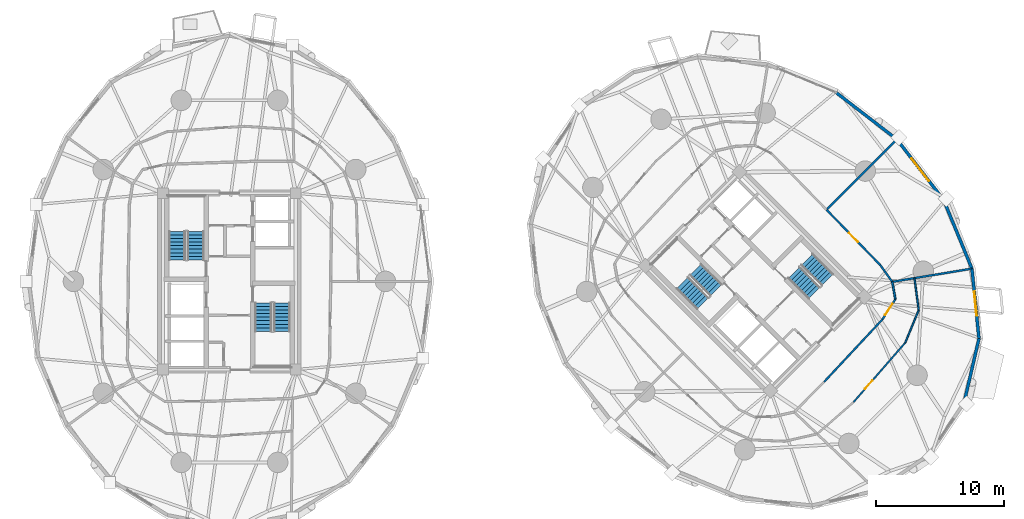
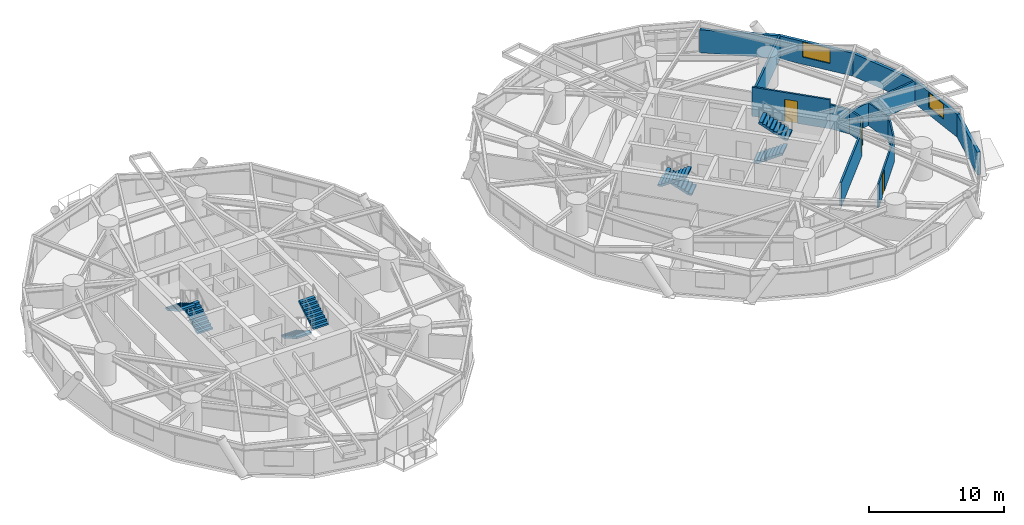
# One storey, part 15 of 18: 15 walls, 8 stair flights, 3 doors, 2 windows, 5 openings, 4 elements without a shape of their own.
"""IFC4 building model written with IfcOpenShell, lengths in metres."""

from ifc_helpers import new_model, si_unit, direction, frame, frame_2d, origin, place, context, subcontext, project, spatial, polyline, rectangle, outline, extrude, source, transform, mapped, material, layer, layer_set, type_object, element, fill, aggregate, save


model = new_model("IFC4")

# Units and contexts
model_context = context("Model", 3, precision=1e-05, world=origin(), true_north=direction((0.0, 1.0)))
body_context = subcontext(model_context, "Body", "Model", "MODEL_VIEW")
ifc_project = project(units=[si_unit("LENGTHUNIT", "METRE"), si_unit("AREAUNIT", "SQUARE_METRE"), si_unit("VOLUMEUNIT", "CUBIC_METRE"), si_unit("PLANEANGLEUNIT", "RADIAN"), si_unit("MASSUNIT", "GRAM", prefix="KILO")], contexts=[model_context])

# Site, building, storey
site_placement = place(None, origin())
site = spatial("IfcSite", under=ifc_project, at=site_placement, CompositionType="ELEMENT")
building_placement = place(site_placement, origin())
building = spatial("IfcBuilding", under=site, at=building_placement, Name="Cununo Teusaquillo Station Towers", CompositionType="ELEMENT")
storey_placement = place(building_placement, frame((0.0, 0.0, 56.919921875)))
storey = spatial("IfcBuildingStorey", under=building, at=storey_placement, Name="L17", CompositionType="ELEMENT", Elevation=56.919921875)

# Walls
ifc_material_1 = material(Name="Precast concrete C40/50", Category="concrete")
ifc_layer_1 = layer(ifc_material_1, 0.239990234375)
ifc_layer_set_1 = layer_set([ifc_layer_1], Name="Precast concrete C40/50")
wall_type_1 = type_object("IfcWallType", Name="WL-EXT-240", PredefinedType="SOLIDWALL", material=ifc_layer_set_1)
wall_1_placement = place(storey_placement, frame((63.844482421875, 39.22216796875, 0.0), z_axis=(0.0, 0.0, 1.0), x_axis=(0.792014314407, -0.610502519057, 0.0)))
element("IfcWall", 1, at=wall_1_placement, inside=storey, type_object=wall_type_1, Name="L17 Tower B Exterior Facade Wall C00", PredefinedType="SOLIDWALL", context=body_context, shape_type="SweptSolid", body=[
    extrude(rectangle(XDim=5.973388671875, YDim=0.239990234375, at=frame_2d((2.98681640625, 0.0))), origin(), (0.0, 0.0, 1.0), 2.072998046875),
])
wall_2_placement = place(storey_placement, frame((74.976318359375, 20.04345703125, 0.0), z_axis=(0.0, 0.0, 1.0), x_axis=(-0.225833060959, -0.974166016949, 0.0)))
element("IfcWall", 2, at=wall_2_placement, inside=storey, type_object=wall_type_1, Name="L17 Tower B Exterior Facade Wall C16", PredefinedType="SOLIDWALL", context=body_context, shape_type="SweptSolid", body=[
    extrude(rectangle(XDim=5.14599609375, YDim=0.239990234375, at=frame_2d((2.572998046875, 0.0))), origin(), (0.0, 0.0, 1.0), 2.072998046875),
])

# Wall, opening, window
wall_3_placement = place(storey_placement, frame((74.427734375, 25.49267578125, 0.0), z_axis=(0.0, 0.0, 1.0), x_axis=(0.100165739718, -0.994970765694, 0.0)))
wall_3 = element("IfcWall", 3, at=wall_3_placement, inside=storey, type_object=wall_type_1, Name="L17 Tower B Exterior Facade Wall C17", PredefinedType="SOLIDWALL", context=body_context, shape_type="SweptSolid", body=[
    extrude(rectangle(XDim=5.476806640625, YDim=0.239990234375, at=frame_2d((2.73828125, 0.0))), origin(), (0.0, 0.0, 1.0), 2.072998046875),
])
shared_shape_1 = source(origin(), body_context, "Body", "SweptSolid", [
    extrude(rectangle(XDim=1.89990234375, YDim=1.35009765625, at=frame_2d((0.949951171875, 0.675048828125))), frame((0.0, 0.1298828125, 0.0), z_axis=(0.0, -1.0, 0.0), x_axis=(1.0, 0.0, 0.0)), (0.0, 0.0, 1.0), 0.260009765625),
])
opening_1_placement = place(wall_3_placement, frame((1.7880859375, 0.0, 0.64990234375)))
opening_1 = element("IfcOpeningElement", 4, at=opening_1_placement, cuts=wall_3, Name="Opening WN-02", PredefinedType="OPENING", context=body_context, shape_type="MappedRepresentation", body=[
    mapped(shared_shape_1, transform((0.0, 0.0, 0.0), x_axis=(1.0, 0.0, 0.0), y_axis=(0.0, 1.0, 0.0), z_axis=(0.0, 0.0, 1.0), scale=1.0)),
])
ifc_material_2 = material(Name="Operable acoustic tinted low-E double glazing", Category="glass")
window_type_1 = type_object("IfcWindowType", Name="WIN-OPER-1900", PartitioningType="DOUBLE_PANEL_VERTICAL", PredefinedType="WINDOW", material=ifc_material_2)
shared_shape_2 = source(origin(), body_context, "Body", "SweptSolid", [
    extrude(rectangle(XDim=1.89990234375, YDim=1.35009765625, at=frame_2d((0.949951171875, 0.675048828125))), frame((0.0, 0.030029296875, 0.0), z_axis=(0.0, -1.0, 0.0), x_axis=(1.0, 0.0, 0.0)), (0.0, 0.0, 1.0), 0.06005859375),
])
window_1_placement = place(opening_1_placement, origin())
window_1 = element("IfcWindow", 5, at=window_1_placement, inside=storey, type_object=window_type_1, Name="L17 Tower B Facade Window C17", OverallHeight=1.35009765625, OverallWidth=1.89990234375, PartitioningType="DOUBLE_PANEL_VERTICAL", PredefinedType="WINDOW", context=body_context, shape_type="MappedRepresentation", body=[
    mapped(shared_shape_2, transform((0.0, 0.0, 0.0), x_axis=(1.0, 0.0, 0.0), y_axis=(0.0, 1.0, 0.0), z_axis=(0.0, 0.0, 1.0), scale=1.0)),
])
fill(opening_1, window_1)

# Wall
wall_4_placement = place(storey_placement, frame((72.22216796875, 30.844482421875, 0.0), z_axis=(0.0, 0.0, 1.0), x_axis=(0.381027682565, -0.924563629567, 0.0)))
element("IfcWall", 6, at=wall_4_placement, inside=storey, type_object=wall_type_1, Name="L17 Tower B Exterior Facade Wall C18", PredefinedType="SOLIDWALL", context=body_context, shape_type="SweptSolid", body=[
    extrude(rectangle(XDim=5.78857421875, YDim=0.239990234375, at=frame_2d((2.894287109375, 0.0))), origin(), (0.0, 0.0, 1.0), 2.072998046875),
])

# Wall, opening, window
wall_5_placement = place(storey_placement, frame((68.575439453125, 35.575439453125, 0.0), z_axis=(0.0, 0.0, 1.0), x_axis=(0.610502519057, -0.792014314407, 0.0)))
wall_5 = element("IfcWall", 7, at=wall_5_placement, inside=storey, type_object=wall_type_1, Name="L17 Tower B Exterior Facade Wall C19", PredefinedType="SOLIDWALL", context=body_context, shape_type="SweptSolid", body=[
    extrude(rectangle(XDim=5.973388671875, YDim=0.239990234375, at=frame_2d((2.98681640625, 0.0))), origin(), (0.0, 0.0, 1.0), 2.072998046875),
])
shared_shape_3 = source(origin(), body_context, "Body", "SweptSolid", [
    extrude(rectangle(XDim=2.199951171875, YDim=1.35009765625, at=frame_2d((1.10009765625, 0.675048828125))), frame((0.0, 0.1298828125, 0.0), z_axis=(0.0, -1.0, 0.0), x_axis=(1.0, 0.0, 0.0)), (0.0, 0.0, 1.0), 0.260009765625),
])
opening_2_placement = place(wall_5_placement, frame((1.886962890625, 0.0, 0.64990234375)))
opening_2 = element("IfcOpeningElement", 8, at=opening_2_placement, cuts=wall_5, Name="Opening WN-01", PredefinedType="OPENING", context=body_context, shape_type="MappedRepresentation", body=[
    mapped(shared_shape_3, transform((0.0, 0.0, 0.0), x_axis=(1.0, 0.0, 0.0), y_axis=(0.0, 1.0, 0.0), z_axis=(0.0, 0.0, 1.0), scale=1.0)),
])
ifc_material_3 = material(Name="Ceramic-fritted dark low-E double glazing", Category="glass")
window_type_2 = type_object("IfcWindowType", Name="WIN-FRIT-2200", PartitioningType="DOUBLE_PANEL_VERTICAL", PredefinedType="WINDOW", material=ifc_material_3)
shared_shape_4 = source(origin(), body_context, "Body", "SweptSolid", [
    extrude(rectangle(XDim=2.199951171875, YDim=1.35009765625, at=frame_2d((1.10009765625, 0.675048828125))), frame((0.0, 0.030029296875, 0.0), z_axis=(0.0, -1.0, 0.0), x_axis=(1.0, 0.0, 0.0)), (0.0, 0.0, 1.0), 0.06005859375),
])
window_2_placement = place(opening_2_placement, origin())
window_2 = element("IfcWindow", 9, at=window_2_placement, inside=storey, type_object=window_type_2, Name="L17 Tower B Facade Window C19", OverallHeight=1.35009765625, OverallWidth=2.199951171875, PartitioningType="DOUBLE_PANEL_VERTICAL", PredefinedType="WINDOW", context=body_context, shape_type="MappedRepresentation", body=[
    mapped(shared_shape_4, transform((0.0, 0.0, 0.0), x_axis=(1.0, 0.0, 0.0), y_axis=(0.0, 1.0, 0.0), z_axis=(0.0, 0.0, 1.0), scale=1.0)),
])
fill(opening_2, window_2)

# Wall, opening, door
ifc_material_4 = material(Name="Fire-rated gypsum plasterboard partition assembly", Category="gypsum")
ifc_layer_2 = layer(ifc_material_4, 0.125)
ifc_layer_set_2 = layer_set([ifc_layer_2], Name="Fire-rated gypsum plasterboard partition assembly")
wall_type_2 = type_object("IfcWallType", Name="WL-PART-125", PredefinedType="PARTITIONING", material=ifc_layer_set_2)
wall_6_placement = place(storey_placement, frame((65.181396484375, 15.068359375, 0.0), z_axis=(0.0, 0.0, 1.0), x_axis=(0.656272116637, 0.754524293131, 0.0)))
wall_6 = element("IfcWall", 10, at=wall_6_placement, inside=storey, type_object=wall_type_2, Name="L17 Tower B Hotel Housekeeping & Linen Pantry Concentric Partition Wall C15", PredefinedType="PARTITIONING", context=body_context, shape_type="SweptSolid", body=[
    extrude(rectangle(XDim=6.1474609375, YDim=0.125, at=frame_2d((3.07373046875, 0.0))), origin(), (0.0, 0.0, 1.0), 2.1591796875),
])
shared_shape_5 = source(origin(), body_context, "Body", "SweptSolid", [
    extrude(rectangle(XDim=0.89990234375, YDim=2.0048828125, at=frame_2d((0.449951171875, 1.00244140625))), frame((0.0, 0.072509765625, 0.0), z_axis=(0.0, -1.0, 0.0), x_axis=(1.0, 0.0, 0.0)), (0.0, 0.0, 1.0), 0.14501953125),
])
opening_3_placement = place(wall_6_placement, frame((1.371826171875, 0.0, 0.0)))
opening_3 = element("IfcOpeningElement", 11, at=opening_3_placement, cuts=wall_6, Name="Opening D-IN1", PredefinedType="OPENING", context=body_context, shape_type="MappedRepresentation", body=[
    mapped(shared_shape_5, transform((0.0, 0.0, 0.0), x_axis=(1.0, 0.0, 0.0), y_axis=(0.0, 1.0, 0.0), z_axis=(0.0, 0.0, 1.0), scale=1.0)),
])
ifc_material_5 = material(Name="Acoustic solid-core hardwood leaf assembly", Category="wood")
door_type_1 = type_object("IfcDoorType", Name="DR-INT-900", OperationType="NOTDEFINED", PredefinedType="DOOR", material=ifc_material_5)
shared_shape_6 = source(origin(), body_context, "Body", "SweptSolid", [
    extrude(rectangle(XDim=0.89990234375, YDim=2.0048828125, at=frame_2d((0.449951171875, 1.00244140625))), frame((0.0, 0.02490234375, 0.0), z_axis=(0.0, -1.0, 0.0), x_axis=(1.0, 0.0, 0.0)), (0.0, 0.0, 1.0), 0.050048828125),
])
door_1_placement = place(opening_3_placement, origin())
door_1 = element("IfcDoor", 12, at=door_1_placement, inside=storey, type_object=door_type_1, Name="L17 Tower B Hotel Housekeeping & Linen Pantry Connecting Door", OperationType="SINGLE_SWING_LEFT", OverallHeight=2.0048828125, OverallWidth=0.89990234375, PredefinedType="DOOR", context=body_context, shape_type="MappedRepresentation", body=[
    mapped(shared_shape_6, transform((0.0, 0.0, 0.0), x_axis=(1.0, 0.0, 0.0), y_axis=(0.0, 1.0, 0.0), z_axis=(0.0, 0.0, 1.0), scale=1.0)),
])
fill(opening_3, door_1)

# Walls
wall_7_placement = place(storey_placement, frame((69.2158203125, 19.706787109375, 0.0), z_axis=(0.0, 0.0, 1.0), x_axis=(0.384483341888, 0.923131929797, 0.0)))
element("IfcWall", 13, at=wall_7_placement, inside=storey, type_object=wall_type_2, Name="L17 Tower B Hotel Housekeeping & Linen Pantry Concentric Partition Wall C16", PredefinedType="PARTITIONING", context=body_context, shape_type="SweptSolid", body=[
    extrude(rectangle(XDim=2.757080078125, YDim=0.125, at=frame_2d((1.37841796875, 0.0))), origin(), (0.0, 0.0, 1.0), 2.205078125),
])
wall_8_placement = place(storey_placement, frame((70.27587890625, 22.251953125, 0.0), z_axis=(0.0, 0.0, 1.0), x_axis=(-0.130649633398, 0.991428602217, 0.0)))
element("IfcWall", 14, at=wall_8_placement, inside=storey, type_object=wall_type_2, Name="L17 Tower B Hotel Housekeeping & Linen Pantry Concentric Partition Wall C17", PredefinedType="PARTITIONING", context=body_context, shape_type="SweptSolid", body=[
    extrude(rectangle(XDim=2.524658203125, YDim=0.125, at=frame_2d((1.26220703125, 0.0))), origin(), (0.0, 0.0, 1.0), 2.072998046875),
])
ifc_material_6 = material(Name="Fire-rated gypsum plasterboard partition assembly", Category="gypsum")
ifc_layer_3 = layer(ifc_material_6, 0.14990234375)
ifc_layer_set_3 = layer_set([ifc_layer_3], Name="Fire-rated gypsum plasterboard partition assembly")
wall_type_3 = type_object("IfcWallType", Name="WL-PART-150", PredefinedType="PARTITIONING", material=ifc_layer_set_3)
wall_9_placement = place(storey_placement, frame((62.902587890625, 16.66650390625, 0.0), z_axis=(0.0, 0.0, 1.0), x_axis=(0.682371947497, 0.731005147225, 0.0)))
element("IfcWall", 15, at=wall_9_placement, inside=storey, type_object=wall_type_3, Name="L17 Tower B Corridor Ring Wall C15", PredefinedType="PARTITIONING", context=body_context, shape_type="SweptSolid", body=[
    extrude(rectangle(XDim=6.6416015625, YDim=0.14990234375, at=frame_2d((3.32080078125, 0.0))), origin(), (0.0, 0.0, 1.0), 2.1591796875),
])

# Wall, opening, door
wall_10_placement = place(storey_placement, frame((67.4345703125, 21.521484375, 0.0), z_axis=(0.0, 0.0, 1.0), x_axis=(0.540777197838, 0.841165870859, 0.0)))
wall_10 = element("IfcWall", 16, at=wall_10_placement, inside=storey, type_object=wall_type_3, Name="L17 Tower B Corridor Ring Wall C16", PredefinedType="PARTITIONING", context=body_context, shape_type="SweptSolid", body=[
    extrude(rectangle(XDim=1.887939453125, YDim=0.14990234375, at=frame_2d((0.94384765625, 0.0))), origin(), (0.0, 0.0, 1.0), 2.205078125),
])
shared_shape_7 = source(origin(), body_context, "Body", "SweptSolid", [
    extrude(rectangle(XDim=1.050048828125, YDim=2.014892578125, at=frame_2d((0.52490234375, 1.00732421875))), frame((0.0, 0.0849609375, 0.0), z_axis=(0.0, -1.0, 0.0), x_axis=(1.0, 0.0, 0.0)), (0.0, 0.0, 1.0), 0.169921875),
])
opening_4_placement = place(wall_10_placement, frame((0.4189453125, 0.0, 0.0)))
opening_4 = element("IfcOpeningElement", 17, at=opening_4_placement, cuts=wall_10, Name="Opening D-SU1", PredefinedType="OPENING", context=body_context, shape_type="MappedRepresentation", body=[
    mapped(shared_shape_7, transform((0.0, 0.0, 0.0), x_axis=(1.0, 0.0, 0.0), y_axis=(0.0, 1.0, 0.0), z_axis=(0.0, 0.0, 1.0), scale=1.0)),
])
ifc_material_7 = material(Name="Acoustic solid-core hardwood leaf assembly", Category="wood")
door_type_2 = type_object("IfcDoorType", Name="DR-SUITE-1050", OperationType="NOTDEFINED", PredefinedType="DOOR", material=ifc_material_7)
shared_shape_8 = source(origin(), body_context, "Body", "SweptSolid", [
    extrude(rectangle(XDim=1.050048828125, YDim=2.014892578125, at=frame_2d((0.52490234375, 1.00732421875))), frame((0.0, 0.02490234375, 0.0), z_axis=(0.0, -1.0, 0.0), x_axis=(1.0, 0.0, 0.0)), (0.0, 0.0, 1.0), 0.050048828125),
])
door_2_placement = place(opening_4_placement, origin())
door_2 = element("IfcDoor", 18, at=door_2_placement, inside=storey, type_object=door_type_2, Name="L17 Tower B Hotel Housekeeping & Linen Pantry Entrance Door", OperationType="SINGLE_SWING_RIGHT", OverallHeight=2.014892578125, OverallWidth=1.050048828125, PredefinedType="DOOR", context=body_context, shape_type="MappedRepresentation", body=[
    mapped(shared_shape_8, transform((0.0, 0.0, 0.0), x_axis=(1.0, 0.0, 0.0), y_axis=(0.0, 1.0, 0.0), z_axis=(0.0, 0.0, 1.0), scale=1.0)),
])
fill(opening_4, door_2)

# Walls
wall_11_placement = place(storey_placement, frame((68.45556640625, 23.109619140625, 0.0), z_axis=(0.0, 0.0, 1.0), x_axis=(-0.1772522795, 0.984165448191, 0.0)))
element("IfcWall", 19, at=wall_11_placement, inside=storey, type_object=wall_type_3, Name="L17 Tower B Corridor Ring Wall C17", PredefinedType="PARTITIONING", context=body_context, shape_type="SweptSolid", body=[
    extrude(rectangle(XDim=1.381591796875, YDim=0.14990234375, at=frame_2d((0.69091796875, 0.0))), origin(), (0.0, 0.0, 1.0), 2.1591796875),
])
wall_12_placement = place(storey_placement, frame((68.210693359375, 24.46923828125, 0.0), z_axis=(0.0, 0.0, 1.0), x_axis=(-0.583012141368, 0.812463441034, 0.0)))
element("IfcWall", 20, at=wall_12_placement, inside=storey, type_object=wall_type_3, Name="L17 Tower B Corridor Ring Wall C18", PredefinedType="PARTITIONING", context=body_context, shape_type="SweptSolid", body=[
    extrude(rectangle(XDim=1.613037109375, YDim=0.14990234375, at=frame_2d((0.806640625, 0.0))), origin(), (0.0, 0.0, 1.0), 2.205078125),
])

# Wall, opening, door
wall_13_placement = place(storey_placement, frame((67.270263671875, 25.77978515625, 0.0), z_axis=(0.0, 0.0, 1.0), x_axis=(-0.696847842907, 0.717218992942, 0.0)))
wall_13 = element("IfcWall", 21, at=wall_13_placement, inside=storey, type_object=wall_type_3, Name="L17 Tower B Corridor Ring Wall C19", PredefinedType="PARTITIONING", context=body_context, shape_type="SweptSolid", body=[
    extrude(rectangle(XDim=6.00439453125, YDim=0.14990234375, at=frame_2d((3.002197265625, 0.0))), origin(), (0.0, 0.0, 1.0), 2.635009765625),
])
shared_shape_9 = source(origin(), body_context, "Body", "SweptSolid", [
    extrude(rectangle(XDim=1.0, YDim=2.014892578125, at=frame_2d((0.5, 1.00732421875))), frame((0.0, 0.0849609375, 0.0), z_axis=(0.0, -1.0, 0.0), x_axis=(1.0, 0.0, 0.0)), (0.0, 0.0, 1.0), 0.169921875),
])
opening_5_placement = place(wall_13_placement, frame((2.502197265625, 0.0, 0.0)))
opening_5 = element("IfcOpeningElement", 22, at=opening_5_placement, cuts=wall_13, Name="Opening D-AC1", PredefinedType="OPENING", context=body_context, shape_type="MappedRepresentation", body=[
    mapped(shared_shape_9, transform((0.0, 0.0, 0.0), x_axis=(1.0, 0.0, 0.0), y_axis=(0.0, 1.0, 0.0), z_axis=(0.0, 0.0, 1.0), scale=1.0)),
])
ifc_material_8 = material(Name="Acoustic solid-core hardwood leaf assembly", Category="wood")
door_type_3 = type_object("IfcDoorType", Name="DR-ACC-1000", OperationType="NOTDEFINED", PredefinedType="DOOR", material=ifc_material_8)
shared_shape_10 = source(origin(), body_context, "Body", "SweptSolid", [
    extrude(rectangle(XDim=1.0, YDim=2.014892578125, at=frame_2d((0.5, 1.00732421875))), frame((0.0, 0.02490234375, 0.0), z_axis=(0.0, -1.0, 0.0), x_axis=(1.0, 0.0, 0.0)), (0.0, 0.0, 1.0), 0.050048828125),
])
door_3_placement = place(opening_5_placement, origin())
door_3 = element("IfcDoor", 23, at=door_3_placement, inside=storey, type_object=door_type_3, Name="L17 Tower B Public Accessible Restroom WC Entrance Door", OperationType="SINGLE_SWING_RIGHT", OverallHeight=2.014892578125, OverallWidth=1.0, PredefinedType="DOOR", context=body_context, shape_type="MappedRepresentation", body=[
    mapped(shared_shape_10, transform((0.0, 0.0, 0.0), x_axis=(1.0, 0.0, 0.0), y_axis=(0.0, 1.0, 0.0), z_axis=(0.0, 0.0, 1.0), scale=1.0)),
])
fill(opening_5, door_3)

# Walls
ifc_material_9 = material(Name="Fire-rated gypsum plasterboard partition assembly", Category="gypsum")
ifc_layer_4 = layer(ifc_material_9, 0.159912109375)
ifc_layer_set_4 = layer_set([ifc_layer_4], Name="Fire-rated gypsum plasterboard partition assembly")
wall_type_4 = type_object("IfcWallType", Name="WL-PART-160", PredefinedType="PARTITIONING", material=ifc_layer_set_4)
wall_14_placement = place(storey_placement, frame((63.086181640625, 30.086181640625, 0.0), z_axis=(0.0, 0.0, 1.0), x_axis=(0.707106781187, 0.707106781187, 0.0)))
element("IfcWall", 24, at=wall_14_placement, inside=storey, type_object=wall_type_4, Name="L17 Tower B Radial Suite Partition R01", PredefinedType="PARTITIONING", context=body_context, shape_type="SweptSolid", body=[
    extrude(rectangle(XDim=7.742919921875, YDim=0.159912109375, at=frame_2d((3.87158203125, 0.0))), origin(), (0.0, 0.0, 1.0), 2.072998046875),
])
wall_15_placement = place(storey_placement, frame((68.210693359375, 24.46923828125, 0.0), z_axis=(0.0, 0.0, 1.0), x_axis=(0.986718695255, 0.162438346562, 0.0)))
element("IfcWall", 25, at=wall_15_placement, inside=storey, type_object=wall_type_4, Name="L17 Tower B Radial Suite Partition R06", PredefinedType="PARTITIONING", context=body_context, shape_type="SweptSolid", body=[
    extrude(rectangle(XDim=6.281005859375, YDim=0.159912109375, at=frame_2d((3.140625, 0.0))), origin(), (0.0, 0.0, 1.0), 2.072998046875),
])

# Stair, stair flights
ifc_material_10 = material(Name="Concrete C50/60", Category="concrete")
stair_type = type_object("IfcStairType", Name="ST-TWR-1300", PredefinedType="HALF_TURN_STAIR", material=ifc_material_10)
stair_1_placement = place(storey_placement, origin())
stair_1 = element("IfcStair", 26, at=stair_1_placement, inside=storey, type_object=stair_type, Name="L17 Tower A Protected Core Exit Stair 1", PredefinedType="HALF_TURN_STAIR")
ifc_material_11 = material(Name="Concrete C50/60", Category="concrete")
stair_flight_type = type_object("IfcStairFlightType", Name="SFL-TWR-1300", PredefinedType="STRAIGHT", material=ifc_material_11)
stair_flight_1_placement = place(storey_placement, frame((13.8701171875, 26.169921875, 0.0), z_axis=(0.0, 0.0, 1.0), x_axis=(0.0, 1.0, 0.0)))
stair_flight_1 = element("IfcStairFlight", 27, at=stair_flight_1_placement, type_object=stair_flight_type, Name="ST-T1-1 flight 1", NumberOfRisers=9, NumberOfTreads=8, PredefinedType="STRAIGHT", RiserHeight=0.161666667, TreadLength=0.28, context=body_context, shape_type="SweptSolid", body=[
    extrude(outline(polyline([(0.0, 0.0), (0.0, 0.16162109375), (0.280029296875, 0.16162109375), (0.280029296875, 0.3232421875), (0.56005859375, 0.3232421875), (0.56005859375, 0.485107421875), (0.840087890625, 0.485107421875), (0.840087890625, 0.646728515625), (1.1201171875, 0.646728515625), (1.1201171875, 0.808349609375), (1.39990234375, 0.808349609375), (1.39990234375, 0.969970703125), (1.679931640625, 0.969970703125), (1.679931640625, 1.131591796875), (1.9599609375, 1.131591796875), (1.9599609375, 1.293212890625), (2.239990234375, 1.293212890625), (2.239990234375, 1.455078125), (2.239990234375, 1.1201171875), (0.2998046875, 0.0), (0.0, 0.0)])), frame((0.0, 0.64990234375, 0.0), z_axis=(0.0, -1.0, 0.0), x_axis=(1.0, 0.0, 0.0)), (0.0, 0.0, 1.0), 1.300048828125),
])
stair_flight_2_placement = place(storey_placement, frame((12.409912109375, 28.409912109375, 1.455078125), z_axis=(0.0, 0.0, 1.0), x_axis=(0.0, -1.0, 0.0)))
stair_flight_2 = element("IfcStairFlight", 28, at=stair_flight_2_placement, type_object=stair_flight_type, Name="ST-T1-1 flight 2", NumberOfRisers=9, NumberOfTreads=8, PredefinedType="STRAIGHT", RiserHeight=0.161666667, TreadLength=0.28, context=body_context, shape_type="SweptSolid", body=[
    extrude(outline(polyline([(0.0, 0.0), (0.0, 0.16162109375), (0.280029296875, 0.16162109375), (0.280029296875, 0.3232421875), (0.56005859375, 0.3232421875), (0.56005859375, 0.485107421875), (0.840087890625, 0.485107421875), (0.840087890625, 0.646728515625), (1.1201171875, 0.646728515625), (1.1201171875, 0.808349609375), (1.39990234375, 0.808349609375), (1.39990234375, 0.969970703125), (1.679931640625, 0.969970703125), (1.679931640625, 1.131591796875), (1.9599609375, 1.131591796875), (1.9599609375, 1.293212890625), (2.239990234375, 1.293212890625), (2.239990234375, 1.455078125), (2.239990234375, 1.1201171875), (0.2998046875, 0.0), (0.0, 0.0)])), frame((0.0, 0.64990234375, 0.0), z_axis=(0.0, -1.0, 0.0), x_axis=(1.0, 0.0, 0.0)), (0.0, 0.0, 1.0), 1.300048828125),
])
aggregate(stair_1, [stair_flight_1, stair_flight_2])

stair_2_placement = place(storey_placement, origin())
stair_2 = element("IfcStair", 29, at=stair_2_placement, inside=storey, type_object=stair_type, Name="L17 Tower A Protected Core Exit Stair 2", PredefinedType="HALF_TURN_STAIR")
stair_flight_3_placement = place(storey_placement, frame((19.1298828125, 22.830078125, 0.0), z_axis=(0.0, 0.0, 1.0), x_axis=(0.0, -1.0, 0.0)))
stair_flight_3 = element("IfcStairFlight", 30, at=stair_flight_3_placement, type_object=stair_flight_type, Name="ST-T1-2 flight 1", NumberOfRisers=9, NumberOfTreads=8, PredefinedType="STRAIGHT", RiserHeight=0.161666667, TreadLength=0.28, context=body_context, shape_type="SweptSolid", body=[
    extrude(outline(polyline([(0.0, 0.0), (0.0, 0.16162109375), (0.280029296875, 0.16162109375), (0.280029296875, 0.3232421875), (0.56005859375, 0.3232421875), (0.56005859375, 0.485107421875), (0.840087890625, 0.485107421875), (0.840087890625, 0.646728515625), (1.1201171875, 0.646728515625), (1.1201171875, 0.808349609375), (1.39990234375, 0.808349609375), (1.39990234375, 0.969970703125), (1.679931640625, 0.969970703125), (1.679931640625, 1.131591796875), (1.9599609375, 1.131591796875), (1.9599609375, 1.293212890625), (2.239990234375, 1.293212890625), (2.239990234375, 1.455078125), (2.239990234375, 1.1201171875), (0.2998046875, 0.0), (0.0, 0.0)])), frame((0.0, 0.64990234375, 0.0), z_axis=(0.0, -1.0, 0.0), x_axis=(1.0, 0.0, 0.0)), (0.0, 0.0, 1.0), 1.300048828125),
])
stair_flight_4_placement = place(storey_placement, frame((20.590087890625, 20.590087890625, 1.455078125), z_axis=(0.0, 0.0, 1.0), x_axis=(0.0, 1.0, 0.0)))
stair_flight_4 = element("IfcStairFlight", 31, at=stair_flight_4_placement, type_object=stair_flight_type, Name="ST-T1-2 flight 2", NumberOfRisers=9, NumberOfTreads=8, PredefinedType="STRAIGHT", RiserHeight=0.161666667, TreadLength=0.28, context=body_context, shape_type="SweptSolid", body=[
    extrude(outline(polyline([(0.0, 0.0), (0.0, 0.16162109375), (0.280029296875, 0.16162109375), (0.280029296875, 0.3232421875), (0.56005859375, 0.3232421875), (0.56005859375, 0.485107421875), (0.840087890625, 0.485107421875), (0.840087890625, 0.646728515625), (1.1201171875, 0.646728515625), (1.1201171875, 0.808349609375), (1.39990234375, 0.808349609375), (1.39990234375, 0.969970703125), (1.679931640625, 0.969970703125), (1.679931640625, 1.131591796875), (1.9599609375, 1.131591796875), (1.9599609375, 1.293212890625), (2.239990234375, 1.293212890625), (2.239990234375, 1.455078125), (2.239990234375, 1.1201171875), (0.2998046875, 0.0), (0.0, 0.0)])), frame((0.0, 0.64990234375, 0.0), z_axis=(0.0, -1.0, 0.0), x_axis=(1.0, 0.0, 0.0)), (0.0, 0.0, 1.0), 1.300048828125),
])
aggregate(stair_2, [stair_flight_3, stair_flight_4])

stair_3_placement = place(storey_placement, origin())
stair_3 = element("IfcStair", 32, at=stair_3_placement, inside=storey, type_object=stair_type, Name="L17 Tower B Protected Core Exit Stair 1", PredefinedType="HALF_TURN_STAIR")
stair_flight_5_placement = place(storey_placement, frame((54.45947265625, 23.8212890625, 0.0), z_axis=(0.0, 0.0, 1.0), x_axis=(-0.707106781187, 0.707106781187, 0.0)))
stair_flight_5 = element("IfcStairFlight", 33, at=stair_flight_5_placement, type_object=stair_flight_type, Name="ST-T2-1 flight 1", NumberOfRisers=9, NumberOfTreads=8, PredefinedType="STRAIGHT", RiserHeight=0.161666667, TreadLength=0.28, context=body_context, shape_type="SweptSolid", body=[
    extrude(outline(polyline([(0.0, 0.0), (0.0, 0.16162109375), (0.280029296875, 0.16162109375), (0.280029296875, 0.3232421875), (0.56005859375, 0.3232421875), (0.56005859375, 0.485107421875), (0.840087890625, 0.485107421875), (0.840087890625, 0.646728515625), (1.1201171875, 0.646728515625), (1.1201171875, 0.808349609375), (1.39990234375, 0.808349609375), (1.39990234375, 0.969970703125), (1.679931640625, 0.969970703125), (1.679931640625, 1.131591796875), (1.9599609375, 1.131591796875), (1.9599609375, 1.293212890625), (2.239990234375, 1.293212890625), (2.239990234375, 1.455078125), (2.239990234375, 1.1201171875), (0.2998046875, 0.0), (0.0, 0.0)])), frame((0.0, 0.64990234375, 0.0), z_axis=(0.0, -1.0, 0.0), x_axis=(1.0, 0.0, 0.0)), (0.0, 0.0, 1.0), 1.300048828125),
])
stair_flight_6_placement = place(storey_placement, frame((51.84326171875, 24.372802734375, 1.455078125), z_axis=(0.0, 0.0, 1.0), x_axis=(0.707106781187, -0.707106781187, 0.0)))
stair_flight_6 = element("IfcStairFlight", 34, at=stair_flight_6_placement, type_object=stair_flight_type, Name="ST-T2-1 flight 2", NumberOfRisers=9, NumberOfTreads=8, PredefinedType="STRAIGHT", RiserHeight=0.161666667, TreadLength=0.28, context=body_context, shape_type="SweptSolid", body=[
    extrude(outline(polyline([(0.0, 0.0), (0.0, 0.16162109375), (0.280029296875, 0.16162109375), (0.280029296875, 0.3232421875), (0.56005859375, 0.3232421875), (0.56005859375, 0.485107421875), (0.840087890625, 0.485107421875), (0.840087890625, 0.646728515625), (1.1201171875, 0.646728515625), (1.1201171875, 0.808349609375), (1.39990234375, 0.808349609375), (1.39990234375, 0.969970703125), (1.679931640625, 0.969970703125), (1.679931640625, 1.131591796875), (1.9599609375, 1.131591796875), (1.9599609375, 1.293212890625), (2.239990234375, 1.293212890625), (2.239990234375, 1.455078125), (2.239990234375, 1.1201171875), (0.2998046875, 0.0), (0.0, 0.0)])), frame((0.0, 0.64990234375, 0.0), z_axis=(0.0, -1.0, 0.0), x_axis=(1.0, 0.0, 0.0)), (0.0, 0.0, 1.0), 1.300048828125),
])
aggregate(stair_3, [stair_flight_5, stair_flight_6])

stair_4_placement = place(storey_placement, origin())
stair_4 = element("IfcStair", 35, at=stair_4_placement, inside=storey, type_object=stair_type, Name="L17 Tower B Protected Core Exit Stair 2", PredefinedType="HALF_TURN_STAIR")
stair_flight_7_placement = place(storey_placement, frame((60.54052734375, 25.1787109375, 0.0), z_axis=(0.0, 0.0, 1.0), x_axis=(0.707106781187, -0.707106781187, 0.0)))
stair_flight_7 = element("IfcStairFlight", 36, at=stair_flight_7_placement, type_object=stair_flight_type, Name="ST-T2-2 flight 1", NumberOfRisers=9, NumberOfTreads=8, PredefinedType="STRAIGHT", RiserHeight=0.161666667, TreadLength=0.28, context=body_context, shape_type="SweptSolid", body=[
    extrude(outline(polyline([(0.0, 0.0), (0.0, 0.16162109375), (0.280029296875, 0.16162109375), (0.280029296875, 0.3232421875), (0.56005859375, 0.3232421875), (0.56005859375, 0.485107421875), (0.840087890625, 0.485107421875), (0.840087890625, 0.646728515625), (1.1201171875, 0.646728515625), (1.1201171875, 0.808349609375), (1.39990234375, 0.808349609375), (1.39990234375, 0.969970703125), (1.679931640625, 0.969970703125), (1.679931640625, 1.131591796875), (1.9599609375, 1.131591796875), (1.9599609375, 1.293212890625), (2.239990234375, 1.293212890625), (2.239990234375, 1.455078125), (2.239990234375, 1.1201171875), (0.2998046875, 0.0), (0.0, 0.0)])), frame((0.0, 0.64990234375, 0.0), z_axis=(0.0, -1.0, 0.0), x_axis=(1.0, 0.0, 0.0)), (0.0, 0.0, 1.0), 1.300048828125),
])
stair_flight_8_placement = place(storey_placement, frame((63.15673828125, 24.627197265625, 1.455078125), z_axis=(0.0, 0.0, 1.0), x_axis=(-0.707106781187, 0.707106781187, 0.0)))
stair_flight_8 = element("IfcStairFlight", 37, at=stair_flight_8_placement, type_object=stair_flight_type, Name="ST-T2-2 flight 2", NumberOfRisers=9, NumberOfTreads=8, PredefinedType="STRAIGHT", RiserHeight=0.161666667, TreadLength=0.28, context=body_context, shape_type="SweptSolid", body=[
    extrude(outline(polyline([(0.0, 0.0), (0.0, 0.16162109375), (0.280029296875, 0.16162109375), (0.280029296875, 0.3232421875), (0.56005859375, 0.3232421875), (0.56005859375, 0.485107421875), (0.840087890625, 0.485107421875), (0.840087890625, 0.646728515625), (1.1201171875, 0.646728515625), (1.1201171875, 0.808349609375), (1.39990234375, 0.808349609375), (1.39990234375, 0.969970703125), (1.679931640625, 0.969970703125), (1.679931640625, 1.131591796875), (1.9599609375, 1.131591796875), (1.9599609375, 1.293212890625), (2.239990234375, 1.293212890625), (2.239990234375, 1.455078125), (2.239990234375, 1.1201171875), (0.2998046875, 0.0), (0.0, 0.0)])), frame((0.0, 0.64990234375, 0.0), z_axis=(0.0, -1.0, 0.0), x_axis=(1.0, 0.0, 0.0)), (0.0, 0.0, 1.0), 1.300048828125),
])
aggregate(stair_4, [stair_flight_7, stair_flight_8])

save(model, "model.ifc")
